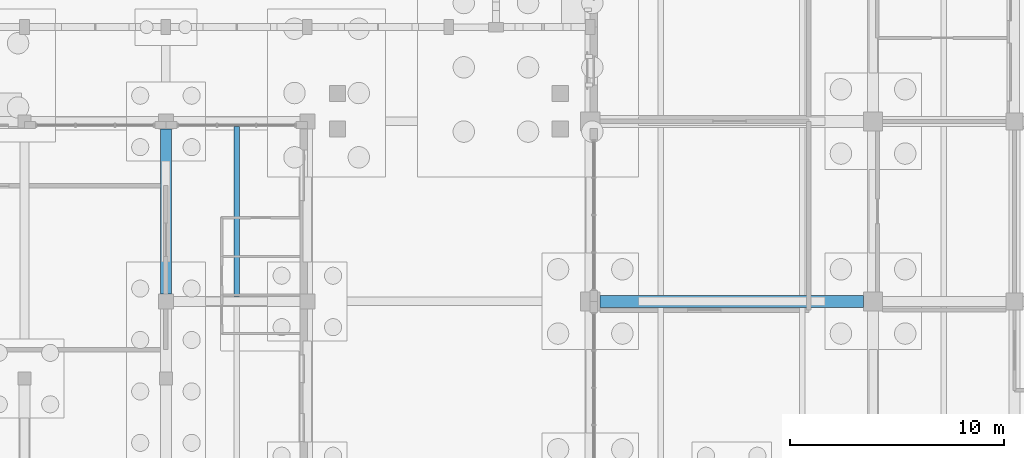
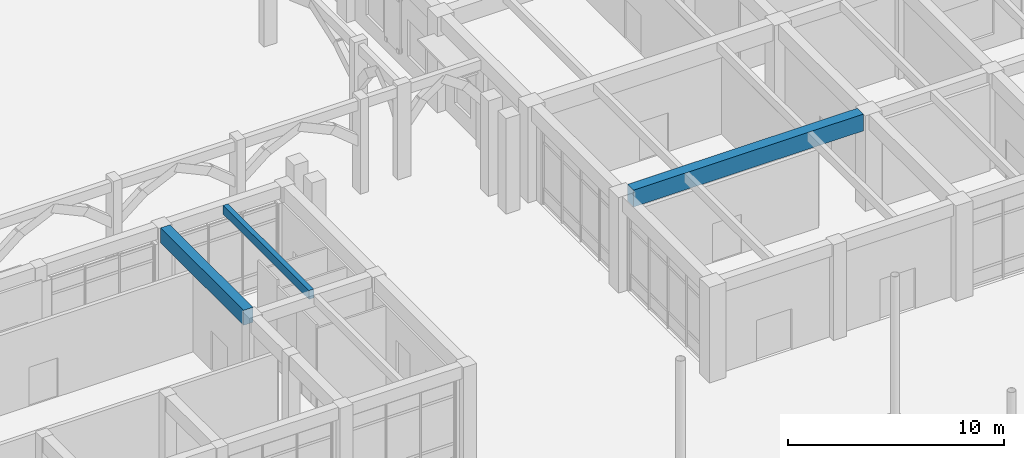
# One storey, part 32 of 82: 3 beams.
"""IFC4 building model written with IfcOpenShell, lengths in metres."""

from ifc_helpers import new_model, si_unit, direction, frame, origin, origin_2d, place, context, subcontext, project, spatial, rectangle, extrude, material, material_profile, profile_set, type_object, element, save


model = new_model("IFC4")

# Units and contexts
model_context = context("Model", 3, precision=1e-05, world=origin(), true_north=direction((0.0, 1.0)))
body_context = subcontext(model_context, "Body", "Model", "MODEL_VIEW")
ifc_project = project(units=[si_unit("LENGTHUNIT", "METRE"), si_unit("AREAUNIT", "SQUARE_METRE"), si_unit("VOLUMEUNIT", "CUBIC_METRE"), si_unit("PLANEANGLEUNIT", "RADIAN"), si_unit("MASSUNIT", "GRAM", prefix="KILO")], contexts=[model_context])

# Site, building, storey
site_placement = place(None, origin())
site = spatial("IfcSite", under=ifc_project, at=site_placement, CompositionType="ELEMENT")
building_placement = place(site_placement, origin())
building = spatial("IfcBuilding", under=site, at=building_placement, Name="Kolvaren Faculty of Natural Sciences", CompositionType="ELEMENT")
storey_placement = place(building_placement, origin())
storey = spatial("IfcBuildingStorey", under=building, at=storey_placement, Name="L00", CompositionType="ELEMENT", Elevation=0.0)

# Beams
ifc_material_1 = material(Name="Concrete C40/50", Category="concrete")
ifc_material_profile_1 = material_profile(ifc_material_1, rectangle(XDim=0.550048828125, YDim=0.949951171875, at=origin_2d()), Name="RC BM 550x950")
ifc_profile_set_1 = profile_set([ifc_material_profile_1], Name="Concrete C40/50")
beam_type_1 = type_object("IfcBeamType", Name="HallGirder_550x950", PredefinedType="BEAM", material=ifc_profile_set_1)
beam_1_placement = place(storey_placement, frame((119.449951171875, 75.800048828125, 4.925048828125), z_axis=(1.0, 0.0, 0.0), x_axis=(0.0, 1.0, 0.0)))
element("IfcBeam", 1, at=beam_1_placement, inside=storey, type_object=beam_type_1, Name="L00 beam BG-95 on grid K", PredefinedType="BEAM", context=body_context, shape_type="SweptSolid", body=[
    extrude(rectangle(XDim=0.550048828125, YDim=0.949951171875, at=origin_2d()), origin(), (0.0, 0.0, 1.0), 12.300048828125),
])
ifc_material_2 = material(Name="Concrete C35/45", Category="concrete")
ifc_material_profile_2 = material_profile(ifc_material_2, rectangle(XDim=0.260009765625, YDim=0.5, at=origin_2d()), Name="RC JST 260x500")
ifc_profile_set_2 = profile_set([ifc_material_profile_2], Name="Concrete C35/45")
beam_type_2 = type_object("IfcBeamType", Name="LabRibJoist_260x500", PredefinedType="JOIST", material=ifc_profile_set_2)
beam_2_placement = place(storey_placement, frame((102.5, 76.02490234375, 5.14990234375), z_axis=(0.0, 1.0, 0.0), x_axis=(-1.0, 0.0, 0.0)))
element("IfcBeam", 2, at=beam_2_placement, inside=storey, type_object=beam_type_2, Name="L00 ribbed laboratory slab joist JS-50", PredefinedType="JOIST", context=body_context, shape_type="SweptSolid", body=[
    extrude(rectangle(XDim=0.260009765625, YDim=0.5, at=origin_2d()), origin(), (0.0, 0.0, 1.0), 7.9501953125),
])
ifc_material_profile_3 = material_profile(ifc_material_2, rectangle(XDim=0.5, YDim=0.85009765625, at=origin_2d()), Name="RC BM 500x850")
ifc_profile_set_3 = profile_set([ifc_material_profile_3], Name="Concrete C35/45")
beam_type_3 = type_object("IfcBeamType", Name="PrimaryGirder_500x850", PredefinedType="BEAM", material=ifc_profile_set_3)
beam_3_placement = place(storey_placement, frame((99.199951171875, 76.14990234375, 4.97509765625), z_axis=(0.0, 1.0, 0.0), x_axis=(-1.0, 0.0, 0.0)))
element("IfcBeam", 3, at=beam_3_placement, inside=storey, type_object=beam_type_3, Name="L00 girder BG-85 on grid 16", PredefinedType="BEAM", context=body_context, shape_type="SweptSolid", body=[
    extrude(rectangle(XDim=0.5, YDim=0.85009765625, at=origin_2d()), origin(), (0.0, 0.0, 1.0), 7.7001953125),
])

save(model, "model.ifc")
